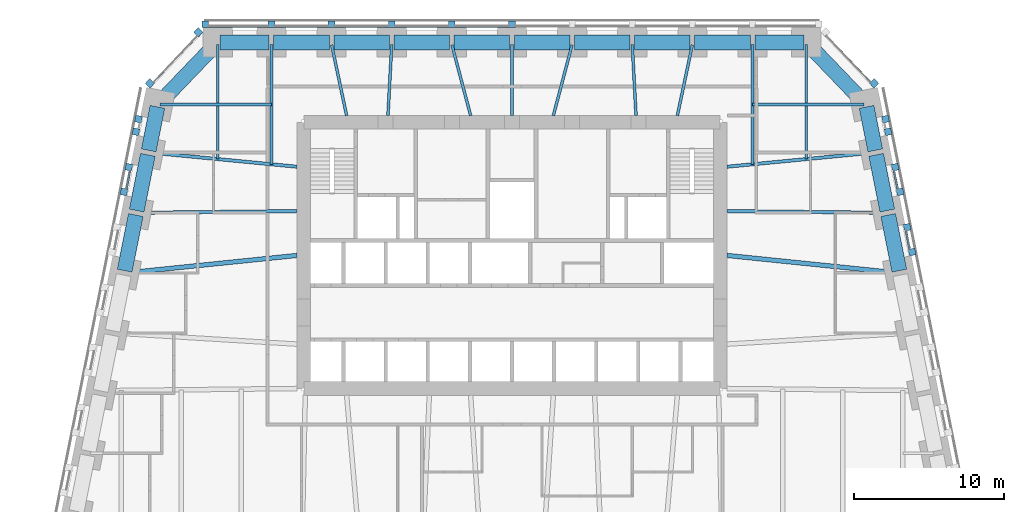
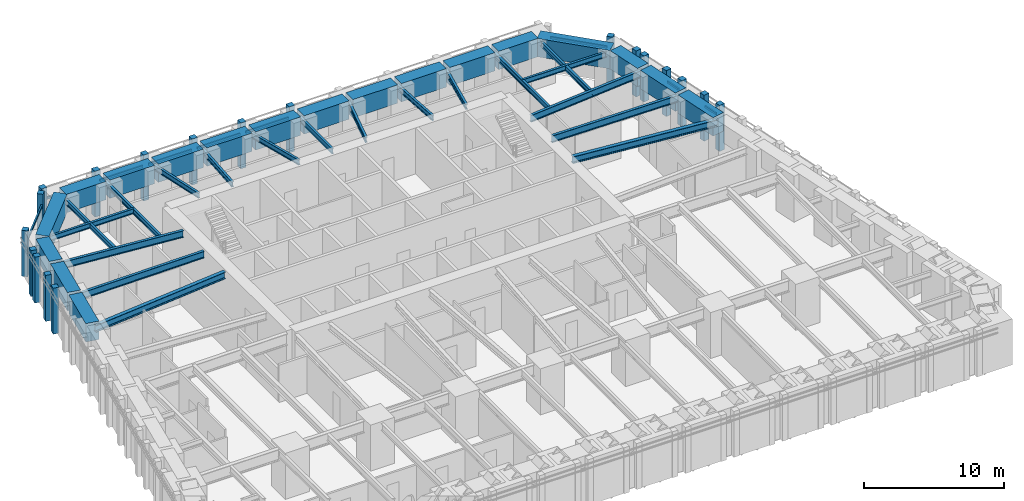
# One storey, part 4 of 17: 37 beams, 29 members, 8 elements without a shape of their own.
"""IFC4 building model written with IfcOpenShell, lengths in metres."""

from ifc_helpers import new_model, si_unit, direction, frame, origin, origin_2d, place, context, subcontext, project, spatial, rectangle, i_section, extrude, material, material_profile, profile_set, type_object, element, aggregate, save


model = new_model("IFC4")

# Units and contexts
model_context = context("Model", 3, precision=1e-05, world=origin(), true_north=direction((0.0, 1.0)))
body_context = subcontext(model_context, "Body", "Model", "MODEL_VIEW")
ifc_project = project(units=[si_unit("LENGTHUNIT", "METRE"), si_unit("AREAUNIT", "SQUARE_METRE"), si_unit("VOLUMEUNIT", "CUBIC_METRE"), si_unit("PLANEANGLEUNIT", "RADIAN"), si_unit("MASSUNIT", "GRAM", prefix="KILO")], contexts=[model_context])

# Site, building, storey
site_placement = place(None, origin())
site = spatial("IfcSite", under=ifc_project, at=site_placement, CompositionType="ELEMENT")
building_placement = place(site_placement, origin())
building = spatial("IfcBuilding", under=site, at=building_placement, Name="Isbrekke Arena Tower", CompositionType="ELEMENT")
storey_placement = place(building_placement, frame((0.0, 0.0, 48.0)))
storey = spatial("IfcBuildingStorey", under=building, at=storey_placement, Name="L09", CompositionType="ELEMENT", Elevation=48.0)

# Beams
ifc_material_1 = material(Name="Steel S355", Category="steel")
ifc_material_profile_1 = material_profile(ifc_material_1, i_section(OverallWidth=0.219970703125, OverallDepth=0.60009765625, WebThickness=0.011962890625, FlangeThickness=0.01904296875, FilletRadius=0.02392578125, at=origin_2d()), Name="IPE 600")
ifc_profile_set_1 = profile_set([ifc_material_profile_1], Name="Steel S355")
beam_type_1 = type_object("IfcBeamType", Name="B1 IPE 600", PredefinedType="BEAM", material=ifc_profile_set_1)
beam_1_placement = place(storey_placement, frame((24.83984375, 17.838134765625, 3.550048828125), z_axis=(-0.999943729589, 0.010608376645, 0.0), x_axis=(-0.010608376645, -0.999943729589, 0.0)))
element("IfcBeam", 1, at=beam_1_placement, inside=storey, type_object=beam_type_1, Name="B1 beam E-E09 L09", PredefinedType="BEAM", context=body_context, shape_type="SweptSolid", body=[
    extrude(i_section(OverallWidth=0.219970703125, OverallDepth=0.60009765625, WebThickness=0.011962890625, FlangeThickness=0.01904296875, FilletRadius=0.02392578125, at=origin_2d()), origin(), (0.0, 0.0, 1.0), 10.540283203125),
])
for number, where, z_axis, x_axis, name in (
    (2, (24.030517578125, 21.837158203125, 3.550048828125), (-0.995393091527, -0.095878012805, 0.0), (0.095878012805, -0.995393091527, 0.0), "B1 beam E-E10 L09"),
    (3, (-24.030517578125, 21.837158203125, 3.550048828125), (0.995393091527, -0.095878012805, 0.0), (0.095878012805, 0.995393091527, 0.0), "B1 beam E-W02 L09"),
):
    element("IfcBeam", number, at=place(storey_placement, frame(where, z_axis=z_axis, x_axis=x_axis)), inside=storey, type_object=beam_type_1, Name=name, PredefinedType="BEAM", context=body_context, shape_type="SweptSolid", body=[
        extrude(i_section(OverallWidth=0.219970703125, OverallDepth=0.60009765625, WebThickness=0.011962890625, FlangeThickness=0.01904296875, FilletRadius=0.02392578125, at=origin_2d()), origin(), (0.0, 0.0, 1.0), 9.775390625),
    ])
beam_2_placement = place(storey_placement, frame((-24.83984375, 17.838134765625, 3.550048828125), z_axis=(0.999943729589, 0.010608376645, 0.0), x_axis=(-0.010608376645, 0.999943729589, 0.0)))
element("IfcBeam", 4, at=beam_2_placement, inside=storey, type_object=beam_type_1, Name="B1 beam E-W03 L09", PredefinedType="BEAM", context=body_context, shape_type="SweptSolid", body=[
    extrude(i_section(OverallWidth=0.219970703125, OverallDepth=0.60009765625, WebThickness=0.011962890625, FlangeThickness=0.01904296875, FilletRadius=0.02392578125, at=origin_2d()), origin(), (0.0, 0.0, 1.0), 10.540283203125),
])
ifc_material_2 = material(Name="Steel S355", Category="steel")
ifc_material_profile_2 = material_profile(ifc_material_2, i_section(OverallWidth=0.18994140625, OverallDepth=0.449951171875, WebThickness=0.009521484375, FlangeThickness=0.0146484375, FilletRadius=0.02099609375, at=origin_2d()), Name="IPE 450")
ifc_profile_set_2 = profile_set([ifc_material_profile_2], Name="Steel S355")
beam_type_2 = type_object("IfcBeamType", Name="B2 IPE 450", PredefinedType="BEAM", material=ifc_profile_set_2)
for number, where, z_axis, x_axis, name in (
    (5, (23.40283203125, 25.029296875, 3.625), (-1.0, 0.0, 0.0), (0.0, -1.0, 0.0), "B2 beam E-E11 L09"),
    (6, (-23.40283203125, 25.029296875, 3.625), (1.0, 0.0, 0.0), (0.0, 1.0, 0.0), "B2 beam E-W01 L09"),
):
    element("IfcBeam", number, at=place(storey_placement, frame(where, z_axis=z_axis, x_axis=x_axis)), inside=storey, type_object=beam_type_2, Name=name, PredefinedType="BEAM", context=body_context, shape_type="SweptSolid", body=[
        extrude(i_section(OverallWidth=0.18994140625, OverallDepth=0.449951171875, WebThickness=0.009521484375, FlangeThickness=0.0146484375, FilletRadius=0.02099609375, at=origin_2d()), origin(), (0.0, 0.0, 1.0), 7.40283203125),
    ])
ifc_material_3 = material(Name="Steel S355", Category="steel")
ifc_material_profile_3 = material_profile(ifc_material_3, i_section(OverallWidth=0.18994140625, OverallDepth=0.449951171875, WebThickness=0.009521484375, FlangeThickness=0.0146484375, FilletRadius=0.02099609375, at=origin_2d()), Name="IPE 450")
ifc_profile_set_3 = profile_set([ifc_material_profile_3], Name="Steel S355")
beam_type_3 = type_object("IfcBeamType", Name="B3 IPE 450", PredefinedType="BEAM", material=ifc_profile_set_3)
beam_3_placement = place(storey_placement, frame((19.574951171875, 29.02490234375, 3.625), z_axis=(0.0, -1.0, 0.0), x_axis=(1.0, 0.0, 0.0)))
element("IfcBeam", 7, at=beam_3_placement, inside=storey, type_object=beam_type_3, Name="B3 beam N-N01 L09", PredefinedType="BEAM", context=body_context, shape_type="SweptSolid", body=[
    extrude(i_section(OverallWidth=0.18994140625, OverallDepth=0.449951171875, WebThickness=0.009521484375, FlangeThickness=0.0146484375, FilletRadius=0.02099609375, at=origin_2d()), origin(), (0.0, 0.0, 1.0), 7.616943359375),
])
for number, where, z_axis, x_axis, name in (
    (8, (16.0, 29.02490234375, 3.625), (0.0, -1.0, 0.0), (1.0, 0.0, 0.0), "B3 beam N-N02 L09"),
    (9, (-16.0, 29.02490234375, 3.625), (0.0, -1.0, 0.0), (1.0, 0.0, 0.0), "B3 beam N-N10 L09"),
):
    element("IfcBeam", number, at=place(storey_placement, frame(where, z_axis=z_axis, x_axis=x_axis)), inside=storey, type_object=beam_type_3, Name=name, PredefinedType="BEAM", context=body_context, shape_type="SweptSolid", body=[
        extrude(i_section(OverallWidth=0.18994140625, OverallDepth=0.449951171875, WebThickness=0.009521484375, FlangeThickness=0.0146484375, FilletRadius=0.02099609375, at=origin_2d()), origin(), (0.0, 0.0, 1.0), 7.961181640625),
    ])
beam_4_placement = place(storey_placement, frame((-19.574951171875, 29.02490234375, 3.625), z_axis=(0.0, -1.0, 0.0), x_axis=(1.0, 0.0, 0.0)))
element("IfcBeam", 10, at=beam_4_placement, inside=storey, type_object=beam_type_3, Name="B3 beam N-N11 L09", PredefinedType="BEAM", context=body_context, shape_type="SweptSolid", body=[
    extrude(i_section(OverallWidth=0.18994140625, OverallDepth=0.449951171875, WebThickness=0.009521484375, FlangeThickness=0.0146484375, FilletRadius=0.02099609375, at=origin_2d()), origin(), (0.0, 0.0, 1.0), 7.616943359375),
])
beam_5_placement = place(storey_placement, frame((11.995849609375, 29.005859375, 3.625), z_axis=(-0.207036135686, -0.978333296234, 0.0), x_axis=(0.978333296234, -0.207036135686, 0.0)))
element("IfcBeam", 11, at=beam_5_placement, inside=storey, type_object=beam_type_3, Name="B3 beam N-N03 L09", PredefinedType="BEAM", context=body_context, shape_type="SweptSolid", body=[
    extrude(i_section(OverallWidth=0.18994140625, OverallDepth=0.449951171875, WebThickness=0.009521484375, FlangeThickness=0.0146484375, FilletRadius=0.02099609375, at=origin_2d()), origin(), (0.0, 0.0, 1.0), 4.81005859375),
])
beam_6_placement = place(storey_placement, frame((8.000244140625, 29.02001953125, 3.625), z_axis=(0.05284078094, -0.998602950061, 0.0), x_axis=(0.998602950061, 0.05284078094, 0.0)))
element("IfcBeam", 12, at=beam_6_placement, inside=storey, type_object=beam_type_3, Name="B3 beam N-N04 L09", PredefinedType="BEAM", context=body_context, shape_type="SweptSolid", body=[
    extrude(i_section(OverallWidth=0.18994140625, OverallDepth=0.449951171875, WebThickness=0.009521484375, FlangeThickness=0.0146484375, FilletRadius=0.02099609375, at=origin_2d()), origin(), (0.0, 0.0, 1.0), 4.7265625),
])
beam_7_placement = place(storey_placement, frame((3.993896484375, 29.00146484375, 3.625), z_axis=(-0.255778031922, -0.966735536942, 0.0), x_axis=(0.966735536942, -0.255778031922, 0.0)))
element("IfcBeam", 13, at=beam_7_placement, inside=storey, type_object=beam_type_3, Name="B3 beam N-N05 L09", PredefinedType="BEAM", context=body_context, shape_type="SweptSolid", body=[
    extrude(i_section(OverallWidth=0.18994140625, OverallDepth=0.449951171875, WebThickness=0.009521484375, FlangeThickness=0.0146484375, FilletRadius=0.02099609375, at=origin_2d()), origin(), (0.0, 0.0, 1.0), 4.86328125),
])
beam_8_placement = place(storey_placement, frame((0.0, 29.02490234375, 3.625), z_axis=(0.0, -1.0, 0.0), x_axis=(1.0, 0.0, 0.0)))
element("IfcBeam", 14, at=beam_8_placement, inside=storey, type_object=beam_type_3, Name="B3 beam N-N06 L09", PredefinedType="BEAM", context=body_context, shape_type="SweptSolid", body=[
    extrude(i_section(OverallWidth=0.18994140625, OverallDepth=0.449951171875, WebThickness=0.009521484375, FlangeThickness=0.0146484375, FilletRadius=0.02099609375, at=origin_2d()), origin(), (0.0, 0.0, 1.0), 4.724853515625),
])
beam_9_placement = place(storey_placement, frame((-3.993896484375, 29.00146484375, 3.625), z_axis=(0.255778031922, -0.966735536942, 0.0), x_axis=(0.966735536942, 0.255778031922, 0.0)))
element("IfcBeam", 15, at=beam_9_placement, inside=storey, type_object=beam_type_3, Name="B3 beam N-N07 L09", PredefinedType="BEAM", context=body_context, shape_type="SweptSolid", body=[
    extrude(i_section(OverallWidth=0.18994140625, OverallDepth=0.449951171875, WebThickness=0.009521484375, FlangeThickness=0.0146484375, FilletRadius=0.02099609375, at=origin_2d()), origin(), (0.0, 0.0, 1.0), 4.86328125),
])
beam_10_placement = place(storey_placement, frame((-8.000244140625, 29.02001953125, 3.625), z_axis=(-0.05284078094, -0.998602950061, 0.0), x_axis=(0.998602950061, -0.05284078094, 0.0)))
element("IfcBeam", 16, at=beam_10_placement, inside=storey, type_object=beam_type_3, Name="B3 beam N-N08 L09", PredefinedType="BEAM", context=body_context, shape_type="SweptSolid", body=[
    extrude(i_section(OverallWidth=0.18994140625, OverallDepth=0.449951171875, WebThickness=0.009521484375, FlangeThickness=0.0146484375, FilletRadius=0.02099609375, at=origin_2d()), origin(), (0.0, 0.0, 1.0), 4.7265625),
])
beam_11_placement = place(storey_placement, frame((-11.995849609375, 29.005859375, 3.625), z_axis=(0.207036135686, -0.978333296234, 0.0), x_axis=(0.978333296234, 0.207036135686, 0.0)))
element("IfcBeam", 17, at=beam_11_placement, inside=storey, type_object=beam_type_3, Name="B3 beam N-N09 L09", PredefinedType="BEAM", context=body_context, shape_type="SweptSolid", body=[
    extrude(i_section(OverallWidth=0.18994140625, OverallDepth=0.449951171875, WebThickness=0.009521484375, FlangeThickness=0.0146484375, FilletRadius=0.02099609375, at=origin_2d()), origin(), (0.0, 0.0, 1.0), 4.81005859375),
])
ifc_material_4 = material(Name="Steel S355", Category="steel")
ifc_material_profile_4 = material_profile(ifc_material_4, i_section(OverallWidth=0.300048828125, OverallDepth=0.60009765625, WebThickness=0.015380859375, FlangeThickness=0.030029296875, FilletRadius=0.027099609375, at=origin_2d()), Name="HEB 600")
ifc_profile_set_4 = profile_set([ifc_material_profile_4], Name="Steel S355")
beam_type_4 = type_object("IfcBeamType", Name="B7 HEB 600", PredefinedType="BEAM", material=ifc_profile_set_4)
for number, where, z_axis, x_axis, name in (
    (18, (25.625732421875, 13.83984375, 3.550048828125), (-0.994794378016, 0.101902627384, 0.0), (-0.101902627384, -0.994794378016, 0.0), "B7 beam E-E08 L09"),
    (19, (-25.625732421875, 13.83984375, 3.550048828125), (0.994794378016, 0.101902627384, 0.0), (-0.101902627384, 0.994794378016, 0.0), "B7 beam E-W04 L09"),
):
    element("IfcBeam", number, at=place(storey_placement, frame(where, z_axis=z_axis, x_axis=x_axis)), inside=storey, type_object=beam_type_4, Name=name, PredefinedType="BEAM", context=body_context, shape_type="SweptSolid", body=[
        extrude(i_section(OverallWidth=0.300048828125, OverallDepth=0.60009765625, WebThickness=0.015380859375, FlangeThickness=0.030029296875, FilletRadius=0.027099609375, at=origin_2d()), origin(), (0.0, 0.0, 1.0), 11.385009765625),
    ])

# Curtain wall, members
ifc_material_5 = material(Name="Glazed aluminium curtain wall", Category="aluminium")
curtain_wall_type = type_object("IfcCurtainWallType", Name="CWL TOWER CURTAIN WALL LOW ZONE", PredefinedType="USERDEFINED", material=ifc_material_5)
curtain_wall_1_placement = place(storey_placement, origin())
curtain_wall_1 = element("IfcCurtainWall", 20, at=curtain_wall_1_placement, inside=storey, type_object=curtain_wall_type, Name="CWL curtain wall L09-E15", ObjectType="TOWER CURTAIN WALL LOW ZONE", PredefinedType="USERDEFINED")
ifc_material_6 = material(Name="Aluminium mullion, pale brick slip cladding", Category="masonry")
ifc_material_profile_5 = material_profile(ifc_material_6, rectangle(XDim=0.449951171875, YDim=0.449951171875, at=origin_2d()), Name="PIER 450X450")
ifc_profile_set_5 = profile_set([ifc_material_profile_5], Name="Aluminium mullion, pale brick slip cladding")
member_type_1 = type_object("IfcMemberType", Name="CWL-M PIER MULLION 450 x 450", PredefinedType="MULLION", material=ifc_profile_set_5)
member_1_placement = place(storey_placement, frame((26.60986328125, 15.225830078125, 0.0), z_axis=(0.0, 0.0, 1.0), x_axis=(-0.196116135138, 0.980580675691, 0.0)))
member_1 = element("IfcMember", 21, at=member_1_placement, type_object=member_type_1, Name="CWL-M mullion 1", PredefinedType="MULLION", context=body_context, shape_type="SweptSolid", body=[
    extrude(rectangle(XDim=0.449951171875, YDim=0.449951171875, at=origin_2d()), origin(), (0.0, 0.0, 1.0), 4.0),
])
member_2_placement = place(storey_placement, frame((26.280517578125, 16.872314453125, 0.0), z_axis=(0.0, 0.0, 1.0), x_axis=(-0.196116135138, 0.980580675691, 0.0)))
member_2 = element("IfcMember", 22, at=member_2_placement, type_object=member_type_1, Name="CWL-M mullion 2", PredefinedType="MULLION", context=body_context, shape_type="SweptSolid", body=[
    extrude(rectangle(XDim=0.449951171875, YDim=0.449951171875, at=origin_2d()), origin(), (0.0, 0.0, 1.0), 4.0),
])

curtain_wall_2_placement = place(storey_placement, origin())
curtain_wall_2 = element("IfcCurtainWall", 23, at=curtain_wall_2_placement, inside=storey, type_object=curtain_wall_type, Name="CWL curtain wall L09-E17", ObjectType="TOWER CURTAIN WALL LOW ZONE", PredefinedType="USERDEFINED")
member_3_placement = place(storey_placement, frame((25.809814453125, 19.225830078125, 0.0), z_axis=(0.0, 0.0, 1.0), x_axis=(-0.196116135138, 0.980580675691, 0.0)))
member_3 = element("IfcMember", 24, at=member_3_placement, type_object=member_type_1, Name="CWL-M mullion 1", PredefinedType="MULLION", context=body_context, shape_type="SweptSolid", body=[
    extrude(rectangle(XDim=0.449951171875, YDim=0.449951171875, at=origin_2d()), origin(), (0.0, 0.0, 1.0), 4.0),
])
member_4_placement = place(storey_placement, frame((25.48046875, 20.872314453125, 0.0), z_axis=(0.0, 0.0, 1.0), x_axis=(-0.196116135138, 0.980580675691, 0.0)))
member_4 = element("IfcMember", 25, at=member_4_placement, type_object=member_type_1, Name="CWL-M mullion 2", PredefinedType="MULLION", context=body_context, shape_type="SweptSolid", body=[
    extrude(rectangle(XDim=0.449951171875, YDim=0.449951171875, at=origin_2d()), origin(), (0.0, 0.0, 1.0), 4.0),
])

curtain_wall_3_placement = place(storey_placement, origin())
curtain_wall_3 = element("IfcCurtainWall", 26, at=curtain_wall_3_placement, inside=storey, type_object=curtain_wall_type, Name="CWL curtain wall L09-E19", ObjectType="TOWER CURTAIN WALL LOW ZONE", PredefinedType="USERDEFINED")
member_5_placement = place(storey_placement, frame((25.009765625, 23.225830078125, 0.0), z_axis=(0.0, 0.0, 1.0), x_axis=(-0.196116135138, 0.980580675691, 0.0)))
member_5 = element("IfcMember", 27, at=member_5_placement, type_object=member_type_1, Name="CWL-M mullion 1", PredefinedType="MULLION", context=body_context, shape_type="SweptSolid", body=[
    extrude(rectangle(XDim=0.449951171875, YDim=0.449951171875, at=origin_2d()), origin(), (0.0, 0.0, 1.0), 4.0),
])
member_6_placement = place(storey_placement, frame((24.841796875, 24.065185546875, 0.0), z_axis=(0.0, 0.0, 1.0), x_axis=(-0.196116135138, 0.980580675691, 0.0)))
member_6 = element("IfcMember", 28, at=member_6_placement, type_object=member_type_1, Name="CWL-M mullion 2", PredefinedType="MULLION", context=body_context, shape_type="SweptSolid", body=[
    extrude(rectangle(XDim=0.449951171875, YDim=0.449951171875, at=origin_2d()), origin(), (0.0, 0.0, 1.0), 4.0),
])
aggregate(curtain_wall_3, [member_5, member_6])

# Curtain wall, member
curtain_wall_4_placement = place(storey_placement, origin())
curtain_wall_4 = element("IfcCurtainWall", 29, at=curtain_wall_4_placement, inside=storey, type_object=curtain_wall_type, Name="CWL curtain wall L09-EN", ObjectType="TOWER CURTAIN WALL LOW ZONE", PredefinedType="USERDEFINED")
member_7_placement = place(storey_placement, frame((24.08837890625, 26.444091796875, 0.0), z_axis=(0.0, 0.0, 1.0), x_axis=(-0.68874946192, 0.72499943359, 0.0)))
member_7 = element("IfcMember", 30, at=member_7_placement, type_object=member_type_1, Name="CWL-M mullion 1", PredefinedType="MULLION", context=body_context, shape_type="SweptSolid", body=[
    extrude(rectangle(XDim=0.449951171875, YDim=0.449951171875, at=origin_2d()), origin(), (0.0, 0.0, 1.0), 4.0),
])

# Curtain wall, members
curtain_wall_5_placement = place(storey_placement, origin())
curtain_wall_5 = element("IfcCurtainWall", 31, at=curtain_wall_5_placement, inside=storey, type_object=curtain_wall_type, Name="CWL curtain wall L09-N", ObjectType="TOWER CURTAIN WALL LOW ZONE", PredefinedType="USERDEFINED")
member_8_placement = place(storey_placement, frame((0.0, 30.375, 0.0), z_axis=(0.0, 0.0, 1.0), x_axis=(-1.0, 0.0, 0.0)))
member_8 = element("IfcMember", 32, at=member_8_placement, type_object=member_type_1, Name="CWL-M mullion 6", PredefinedType="MULLION", context=body_context, shape_type="SweptSolid", body=[
    extrude(rectangle(XDim=0.449951171875, YDim=0.449951171875, at=origin_2d()), origin(), (0.0, 0.0, 1.0), 4.0),
])
member_9_placement = place(storey_placement, frame((-4.0, 30.375, 0.0), z_axis=(0.0, 0.0, 1.0), x_axis=(-1.0, 0.0, 0.0)))
member_9 = element("IfcMember", 33, at=member_9_placement, type_object=member_type_1, Name="CWL-M mullion 7", PredefinedType="MULLION", context=body_context, shape_type="SweptSolid", body=[
    extrude(rectangle(XDim=0.449951171875, YDim=0.449951171875, at=origin_2d()), origin(), (0.0, 0.0, 1.0), 4.0),
])
member_10_placement = place(storey_placement, frame((-8.0, 30.375, 0.0), z_axis=(0.0, 0.0, 1.0), x_axis=(-1.0, 0.0, 0.0)))
member_10 = element("IfcMember", 34, at=member_10_placement, type_object=member_type_1, Name="CWL-M mullion 8", PredefinedType="MULLION", context=body_context, shape_type="SweptSolid", body=[
    extrude(rectangle(XDim=0.449951171875, YDim=0.449951171875, at=origin_2d()), origin(), (0.0, 0.0, 1.0), 4.0),
])
member_11_placement = place(storey_placement, frame((-12.0, 30.375, 0.0), z_axis=(0.0, 0.0, 1.0), x_axis=(-1.0, 0.0, 0.0)))
member_11 = element("IfcMember", 35, at=member_11_placement, type_object=member_type_1, Name="CWL-M mullion 9", PredefinedType="MULLION", context=body_context, shape_type="SweptSolid", body=[
    extrude(rectangle(XDim=0.449951171875, YDim=0.449951171875, at=origin_2d()), origin(), (0.0, 0.0, 1.0), 4.0),
])
member_12_placement = place(storey_placement, frame((-16.0, 30.375, 0.0), z_axis=(0.0, 0.0, 1.0), x_axis=(-1.0, 0.0, 0.0)))
member_12 = element("IfcMember", 36, at=member_12_placement, type_object=member_type_1, Name="CWL-M mullion 10", PredefinedType="MULLION", context=body_context, shape_type="SweptSolid", body=[
    extrude(rectangle(XDim=0.449951171875, YDim=0.449951171875, at=origin_2d()), origin(), (0.0, 0.0, 1.0), 4.0),
])
member_13_placement = place(storey_placement, frame((-20.39990234375, 30.375, 0.0), z_axis=(0.0, 0.0, 1.0), x_axis=(-1.0, 0.0, 0.0)))
member_13 = element("IfcMember", 37, at=member_13_placement, type_object=member_type_1, Name="CWL-M mullion 11", PredefinedType="MULLION", context=body_context, shape_type="SweptSolid", body=[
    extrude(rectangle(XDim=0.449951171875, YDim=0.449951171875, at=origin_2d()), origin(), (0.0, 0.0, 1.0), 4.0),
])

curtain_wall_6_placement = place(storey_placement, origin())
curtain_wall_6 = element("IfcCurtainWall", 38, at=curtain_wall_6_placement, inside=storey, type_object=curtain_wall_type, Name="CWL curtain wall L09-NW", ObjectType="TOWER CURTAIN WALL LOW ZONE", PredefinedType="USERDEFINED")
member_14_placement = place(storey_placement, frame((-20.86572265625, 29.83642578125, 0.0), z_axis=(0.0, 0.0, 1.0), x_axis=(-0.68874946192, -0.72499943359, 0.0)))
member_14 = element("IfcMember", 39, at=member_14_placement, type_object=member_type_1, Name="CWL-M mullion 1", PredefinedType="MULLION", context=body_context, shape_type="SweptSolid", body=[
    extrude(rectangle(XDim=0.449951171875, YDim=0.449951171875, at=origin_2d()), origin(), (0.0, 0.0, 1.0), 4.0),
])
member_15_placement = place(storey_placement, frame((-24.087890625, 26.44482421875, 0.0), z_axis=(0.0, 0.0, 1.0), x_axis=(-0.68874946192, -0.72499943359, 0.0)))
member_15 = element("IfcMember", 40, at=member_15_placement, type_object=member_type_1, Name="CWL-M mullion 2", PredefinedType="MULLION", context=body_context, shape_type="SweptSolid", body=[
    extrude(rectangle(XDim=0.449951171875, YDim=0.449951171875, at=origin_2d()), origin(), (0.0, 0.0, 1.0), 4.0),
])

curtain_wall_7_placement = place(storey_placement, origin())
curtain_wall_7 = element("IfcCurtainWall", 41, at=curtain_wall_7_placement, inside=storey, type_object=curtain_wall_type, Name="CWL curtain wall L09-W", ObjectType="TOWER CURTAIN WALL LOW ZONE", PredefinedType="USERDEFINED")
member_16_placement = place(storey_placement, frame((-24.841796875, 24.065185546875, 0.0), z_axis=(0.0, 0.0, 1.0), x_axis=(-0.196116135138, -0.980580675691, 0.0)))
member_16 = element("IfcMember", 42, at=member_16_placement, type_object=member_type_1, Name="CWL-M mullion 1", PredefinedType="MULLION", context=body_context, shape_type="SweptSolid", body=[
    extrude(rectangle(XDim=0.449951171875, YDim=0.449951171875, at=origin_2d()), origin(), (0.0, 0.0, 1.0), 4.0),
])
member_17_placement = place(storey_placement, frame((-25.009765625, 23.225830078125, 0.0), z_axis=(0.0, 0.0, 1.0), x_axis=(-0.196116135138, -0.980580675691, 0.0)))
member_17 = element("IfcMember", 43, at=member_17_placement, type_object=member_type_1, Name="CWL-M mullion 2", PredefinedType="MULLION", context=body_context, shape_type="SweptSolid", body=[
    extrude(rectangle(XDim=0.449951171875, YDim=0.449951171875, at=origin_2d()), origin(), (0.0, 0.0, 1.0), 4.0),
])
aggregate(curtain_wall_7, [member_16, member_17])

curtain_wall_8_placement = place(storey_placement, origin())
curtain_wall_8 = element("IfcCurtainWall", 44, at=curtain_wall_8_placement, inside=storey, type_object=curtain_wall_type, Name="CWL curtain wall L09-W3", ObjectType="TOWER CURTAIN WALL LOW ZONE", PredefinedType="USERDEFINED")
member_18_placement = place(storey_placement, frame((-25.48046875, 20.872314453125, 0.0), z_axis=(0.0, 0.0, 1.0), x_axis=(-0.196116135138, -0.980580675691, 0.0)))
member_18 = element("IfcMember", 45, at=member_18_placement, type_object=member_type_1, Name="CWL-M mullion 1", PredefinedType="MULLION", context=body_context, shape_type="SweptSolid", body=[
    extrude(rectangle(XDim=0.449951171875, YDim=0.449951171875, at=origin_2d()), origin(), (0.0, 0.0, 1.0), 4.0),
])
member_19_placement = place(storey_placement, frame((-25.809814453125, 19.225830078125, 0.0), z_axis=(0.0, 0.0, 1.0), x_axis=(-0.196116135138, -0.980580675691, 0.0)))
member_19 = element("IfcMember", 46, at=member_19_placement, type_object=member_type_1, Name="CWL-M mullion 2", PredefinedType="MULLION", context=body_context, shape_type="SweptSolid", body=[
    extrude(rectangle(XDim=0.449951171875, YDim=0.449951171875, at=origin_2d()), origin(), (0.0, 0.0, 1.0), 4.0),
])

# Member
ifc_material_7 = material(Name="Aluminium transom", Category="aluminium")
ifc_material_profile_6 = material_profile(ifc_material_7, rectangle(XDim=0.1201171875, YDim=0.199951171875, at=origin_2d()), Name="TRANSOM 120X200")
ifc_profile_set_6 = profile_set([ifc_material_profile_6], Name="Aluminium transom")
member_type_2 = type_object("IfcMemberType", Name="CWL-T TRANSOM 120 x 200", PredefinedType="USERDEFINED", material=ifc_profile_set_6)
member_20_placement = place(storey_placement, frame((26.443115234375, 15.421875, 3.0), z_axis=(-0.196039741533, 0.980595951317, 0.0), x_axis=(-0.980595951317, -0.196039741533, 0.0)))
member_20 = element("IfcMember", 47, at=member_20_placement, type_object=member_type_2, Name="CWL-T transom 1", ObjectType="TRANSOM", PredefinedType="USERDEFINED", context=body_context, shape_type="SweptSolid", body=[
    extrude(rectangle(XDim=0.1201171875, YDim=0.199951171875, at=origin_2d()), origin(), (0.0, 0.0, 1.0), 1.229248046875),
])

aggregate(curtain_wall_1, [member_1, member_2, member_20])

member_21_placement = place(storey_placement, frame((25.64306640625, 19.421875, 3.0), z_axis=(-0.196039741533, 0.980595951317, 0.0), x_axis=(-0.980595951317, -0.196039741533, 0.0)))
member_21 = element("IfcMember", 48, at=member_21_placement, type_object=member_type_2, Name="CWL-T transom 1", ObjectType="TRANSOM", PredefinedType="USERDEFINED", context=body_context, shape_type="SweptSolid", body=[
    extrude(rectangle(XDim=0.1201171875, YDim=0.199951171875, at=origin_2d()), origin(), (0.0, 0.0, 1.0), 1.229248046875),
])

aggregate(curtain_wall_2, [member_3, member_4, member_21])

member_22_placement = place(storey_placement, frame((23.8427734375, 26.521240234375, 3.0), z_axis=(-0.688776771287, 0.724973488712, 0.0), x_axis=(-0.724973488712, -0.688776771287, 0.0)))
member_22 = element("IfcMember", 49, at=member_22_placement, type_object=member_type_2, Name="CWL-T transom 1", ObjectType="TRANSOM", PredefinedType="USERDEFINED", context=body_context, shape_type="SweptSolid", body=[
    extrude(rectangle(XDim=0.1201171875, YDim=0.199951171875, at=origin_2d()), origin(), (0.0, 0.0, 1.0), 4.22900390625),
])

aggregate(curtain_wall_4, [member_7, member_22])

member_23_placement = place(storey_placement, frame((-0.22509765625, 30.25, 3.0), z_axis=(-1.0, 0.0, 0.0), x_axis=(0.0, -1.0, 0.0)))
member_23 = element("IfcMember", 50, at=member_23_placement, type_object=member_type_2, Name="CWL-T transom 6", ObjectType="TRANSOM", PredefinedType="USERDEFINED", context=body_context, shape_type="SweptSolid", body=[
    extrude(rectangle(XDim=0.1201171875, YDim=0.199951171875, at=origin_2d()), origin(), (0.0, 0.0, 1.0), 3.5498046875),
])

member_24_placement = place(storey_placement, frame((-4.22509765625, 30.25, 3.0), z_axis=(-1.0, 0.0, 0.0), x_axis=(0.0, -1.0, 0.0)))
member_24 = element("IfcMember", 51, at=member_24_placement, type_object=member_type_2, Name="CWL-T transom 7", ObjectType="TRANSOM", PredefinedType="USERDEFINED", context=body_context, shape_type="SweptSolid", body=[
    extrude(rectangle(XDim=0.1201171875, YDim=0.199951171875, at=origin_2d()), origin(), (0.0, 0.0, 1.0), 3.5498046875),
])

member_25_placement = place(storey_placement, frame((-8.22509765625, 30.25, 3.0), z_axis=(-1.0, 0.0, 0.0), x_axis=(0.0, -1.0, 0.0)))
member_25 = element("IfcMember", 52, at=member_25_placement, type_object=member_type_2, Name="CWL-T transom 8", ObjectType="TRANSOM", PredefinedType="USERDEFINED", context=body_context, shape_type="SweptSolid", body=[
    extrude(rectangle(XDim=0.1201171875, YDim=0.199951171875, at=origin_2d()), origin(), (0.0, 0.0, 1.0), 3.5498046875),
])

member_26_placement = place(storey_placement, frame((-12.22509765625, 30.25, 3.0), z_axis=(-1.0, 0.0, 0.0), x_axis=(0.0, -1.0, 0.0)))
member_26 = element("IfcMember", 53, at=member_26_placement, type_object=member_type_2, Name="CWL-T transom 9", ObjectType="TRANSOM", PredefinedType="USERDEFINED", context=body_context, shape_type="SweptSolid", body=[
    extrude(rectangle(XDim=0.1201171875, YDim=0.199951171875, at=origin_2d()), origin(), (0.0, 0.0, 1.0), 3.5498046875),
])

member_27_placement = place(storey_placement, frame((-16.22509765625, 30.25, 3.0), z_axis=(-1.0, 0.0, 0.0), x_axis=(0.0, -1.0, 0.0)))
member_27 = element("IfcMember", 54, at=member_27_placement, type_object=member_type_2, Name="CWL-T transom 10", ObjectType="TRANSOM", PredefinedType="USERDEFINED", context=body_context, shape_type="SweptSolid", body=[
    extrude(rectangle(XDim=0.1201171875, YDim=0.199951171875, at=origin_2d()), origin(), (0.0, 0.0, 1.0), 3.949951171875),
])

aggregate(curtain_wall_5, [member_8, member_9, member_10, member_11, member_12, member_13, member_23, member_24, member_25, member_26, member_27])

member_28_placement = place(storey_placement, frame((-20.93017578125, 29.587158203125, 3.0), z_axis=(-0.6887433918, -0.725005200155, 0.0), x_axis=(0.725005200155, -0.6887433918, 0.0)))
member_28 = element("IfcMember", 55, at=member_28_placement, type_object=member_type_2, Name="CWL-T transom 1", ObjectType="TRANSOM", PredefinedType="USERDEFINED", context=body_context, shape_type="SweptSolid", body=[
    extrude(rectangle(XDim=0.1201171875, YDim=0.199951171875, at=origin_2d()), origin(), (0.0, 0.0, 1.0), 4.22802734375),
])

aggregate(curtain_wall_6, [member_14, member_15, member_28])

member_29_placement = place(storey_placement, frame((-25.402099609375, 20.627197265625, 3.0), z_axis=(-0.196039741533, -0.980595951317, 0.0), x_axis=(0.980595951317, -0.196039741533, 0.0)))
member_29 = element("IfcMember", 56, at=member_29_placement, type_object=member_type_2, Name="CWL-T transom 1", ObjectType="TRANSOM", PredefinedType="USERDEFINED", context=body_context, shape_type="SweptSolid", body=[
    extrude(rectangle(XDim=0.1201171875, YDim=0.199951171875, at=origin_2d()), origin(), (0.0, 0.0, 1.0), 1.229248046875),
])

aggregate(curtain_wall_8, [member_18, member_19, member_29])

# Beams
ifc_material_8 = material(Name="Concrete B90 (C90/105)", Category="concrete")
ifc_material_profile_7 = material_profile(ifc_material_8, rectangle(XDim=1.0, YDim=1.60009765625, at=origin_2d()), Name="RC 1000x1600")
ifc_profile_set_7 = profile_set([ifc_material_profile_7], Name="Concrete B90 (C90/105)")
beam_type_5 = type_object("IfcBeamType", Name="SB1 RC 1000 x 1600", PredefinedType="SPANDREL", material=ifc_profile_set_7)
for number, where, z_axis, x_axis, name in (
    (57, (25.76171875, 13.9853515625, 3.199951171875), (-0.196128558387, 0.980578190959, 0.0), (-0.980578190959, -0.196128558387, 0.0), "SB1 spandrel E08-E09 L09"),
    (58, (24.961669921875, 17.9853515625, 3.199951171875), (-0.196128558387, 0.980578190959, 0.0), (-0.980578190959, -0.196128558387, 0.0), "SB1 spandrel E09-E10 L09"),
):
    element("IfcBeam", number, at=place(storey_placement, frame(where, z_axis=z_axis, x_axis=x_axis)), inside=storey, type_object=beam_type_5, Name=name, PredefinedType="SPANDREL", context=body_context, shape_type="SweptSolid", body=[
        extrude(rectangle(XDim=1.0, YDim=1.60009765625, at=origin_2d()), origin(), (0.0, 0.0, 1.0), 3.779296875),
    ])
beam_12_placement = place(storey_placement, frame((24.16162109375, 21.9853515625, 3.199951171875), z_axis=(-0.196116135138, 0.980580675691, 0.0), x_axis=(-0.980580675691, -0.196116135138, 0.0)))
element("IfcBeam", 59, at=beam_12_placement, inside=storey, type_object=beam_type_5, Name="SB1 spandrel E10-E11 L09", PredefinedType="SPANDREL", context=body_context, shape_type="SweptSolid", body=[
    extrude(rectangle(XDim=1.0, YDim=1.60009765625, at=origin_2d()), origin(), (0.0, 0.0, 1.0), 2.9541015625),
])
beam_13_placement = place(storey_placement, frame((23.448974609375, 25.137451171875, 3.199951171875), z_axis=(-0.692339547635, 0.721571861134, 0.0), x_axis=(-0.721571861134, -0.692339547635, 0.0)))
element("IfcBeam", 60, at=beam_13_placement, inside=storey, type_object=beam_type_5, Name="SB1 spandrel E11-N01 L09", PredefinedType="SPANDREL", context=body_context, shape_type="SweptSolid", body=[
    extrude(rectangle(XDim=1.0, YDim=1.60009765625, at=origin_2d()), origin(), (0.0, 0.0, 1.0), 5.4453125),
])
beam_14_placement = place(storey_placement, frame((19.425048828125, 29.175048828125, 3.199951171875), z_axis=(-1.0, 0.0, 0.0), x_axis=(0.0, -1.0, 0.0)))
element("IfcBeam", 61, at=beam_14_placement, inside=storey, type_object=beam_type_5, Name="SB1 spandrel N01-N02 L09", PredefinedType="SPANDREL", context=body_context, shape_type="SweptSolid", body=[
    extrude(rectangle(XDim=1.0, YDim=1.60009765625, at=origin_2d()), origin(), (0.0, 0.0, 1.0), 3.275146484375),
])
for number, where, z_axis, x_axis, name in (
    (62, (15.85009765625, 29.175048828125, 3.199951171875), (-1.0, 0.0, 0.0), (0.0, -1.0, 0.0), "SB1 spandrel N02-N03 L09"),
    (63, (11.85009765625, 29.175048828125, 3.199951171875), (-1.0, 0.0, 0.0), (0.0, -1.0, 0.0), "SB1 spandrel N03-N04 L09"),
    (64, (7.85009765625, 29.175048828125, 3.199951171875), (-1.0, 0.0, 0.0), (0.0, -1.0, 0.0), "SB1 spandrel N04-N05 L09"),
    (65, (3.85009765625, 29.175048828125, 3.199951171875), (-1.0, 0.0, 0.0), (0.0, -1.0, 0.0), "SB1 spandrel N05-N06 L09"),
    (66, (-0.14990234375, 29.175048828125, 3.199951171875), (-1.0, 0.0, 0.0), (0.0, -1.0, 0.0), "SB1 spandrel N06-N07 L09"),
    (67, (-4.14990234375, 29.175048828125, 3.199951171875), (-1.0, 0.0, 0.0), (0.0, -1.0, 0.0), "SB1 spandrel N07-N08 L09"),
    (68, (-8.14990234375, 29.175048828125, 3.199951171875), (-1.0, 0.0, 0.0), (0.0, -1.0, 0.0), "SB1 spandrel N08-N09 L09"),
    (69, (-12.14990234375, 29.175048828125, 3.199951171875), (-1.0, 0.0, 0.0), (0.0, -1.0, 0.0), "SB1 spandrel N09-N10 L09"),
):
    element("IfcBeam", number, at=place(storey_placement, frame(where, z_axis=z_axis, x_axis=x_axis)), inside=storey, type_object=beam_type_5, Name=name, PredefinedType="SPANDREL", context=body_context, shape_type="SweptSolid", body=[
        extrude(rectangle(XDim=1.0, YDim=1.60009765625, at=origin_2d()), origin(), (0.0, 0.0, 1.0), 3.7001953125),
    ])
beam_15_placement = place(storey_placement, frame((-16.14990234375, 29.175048828125, 3.199951171875), z_axis=(-1.0, 0.0, 0.0), x_axis=(0.0, -1.0, 0.0)))
element("IfcBeam", 70, at=beam_15_placement, inside=storey, type_object=beam_type_5, Name="SB1 spandrel N10-N11 L09", PredefinedType="SPANDREL", context=body_context, shape_type="SweptSolid", body=[
    extrude(rectangle(XDim=1.0, YDim=1.60009765625, at=origin_2d()), origin(), (0.0, 0.0, 1.0), 3.275146484375),
])
beam_16_placement = place(storey_placement, frame((-19.678955078125, 29.066650390625, 3.199951171875), z_axis=(-0.692339547635, -0.721571861134, 0.0), x_axis=(0.721571861134, -0.692339547635, 0.0)))
element("IfcBeam", 71, at=beam_16_placement, inside=storey, type_object=beam_type_5, Name="SB1 spandrel N11-W01 L09", PredefinedType="SPANDREL", context=body_context, shape_type="SweptSolid", body=[
    extrude(rectangle(XDim=1.0, YDim=1.60009765625, at=origin_2d()), origin(), (0.0, 0.0, 1.0), 5.4453125),
])
beam_17_placement = place(storey_placement, frame((-23.582275390625, 24.882080078125, 3.199951171875), z_axis=(-0.196116135138, -0.980580675691, 0.0), x_axis=(0.980580675691, -0.196116135138, 0.0)))
element("IfcBeam", 72, at=beam_17_placement, inside=storey, type_object=beam_type_5, Name="SB1 spandrel W01-W02 L09", PredefinedType="SPANDREL", context=body_context, shape_type="SweptSolid", body=[
    extrude(rectangle(XDim=1.0, YDim=1.60009765625, at=origin_2d()), origin(), (0.0, 0.0, 1.0), 2.9541015625),
])
for number, where, z_axis, x_axis, name in (
    (73, (-24.220458984375, 21.691162109375, 3.199951171875), (-0.196128558387, -0.980578190959, 0.0), (0.980578190959, -0.196128558387, 0.0), "SB1 spandrel W02-W03 L09"),
    (74, (-25.0205078125, 17.691162109375, 3.199951171875), (-0.196128558387, -0.980578190959, 0.0), (0.980578190959, -0.196128558387, 0.0), "SB1 spandrel W03-W04 L09"),
):
    element("IfcBeam", number, at=place(storey_placement, frame(where, z_axis=z_axis, x_axis=x_axis)), inside=storey, type_object=beam_type_5, Name=name, PredefinedType="SPANDREL", context=body_context, shape_type="SweptSolid", body=[
        extrude(rectangle(XDim=1.0, YDim=1.60009765625, at=origin_2d()), origin(), (0.0, 0.0, 1.0), 3.779296875),
    ])

save(model, "model.ifc")
